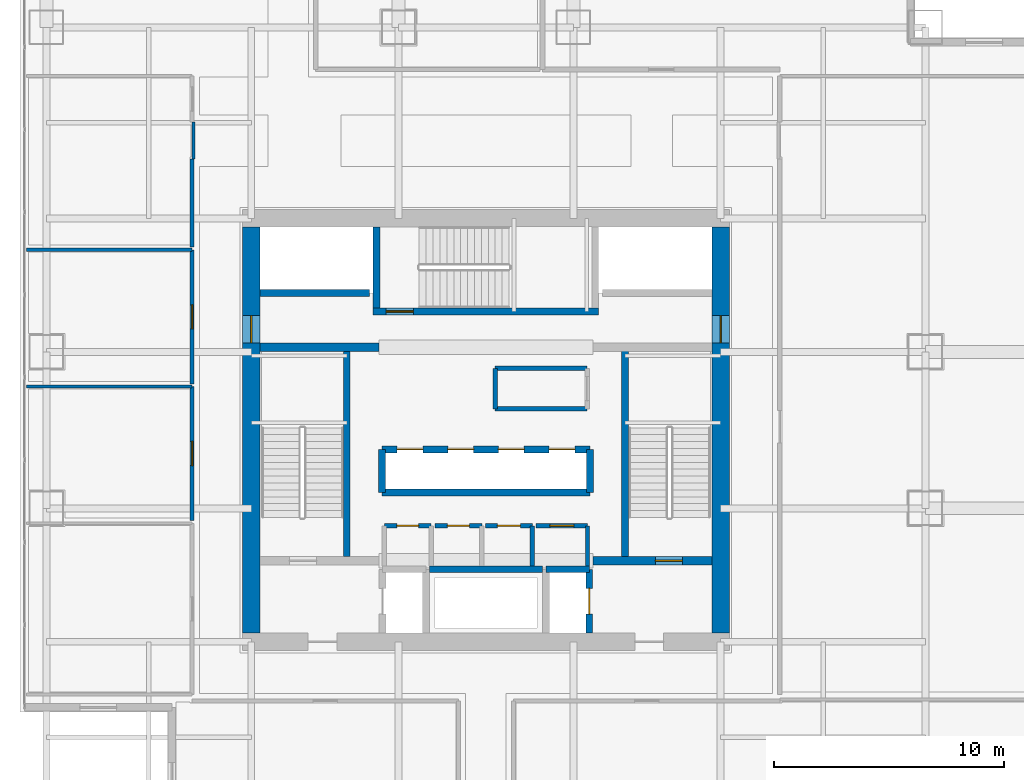
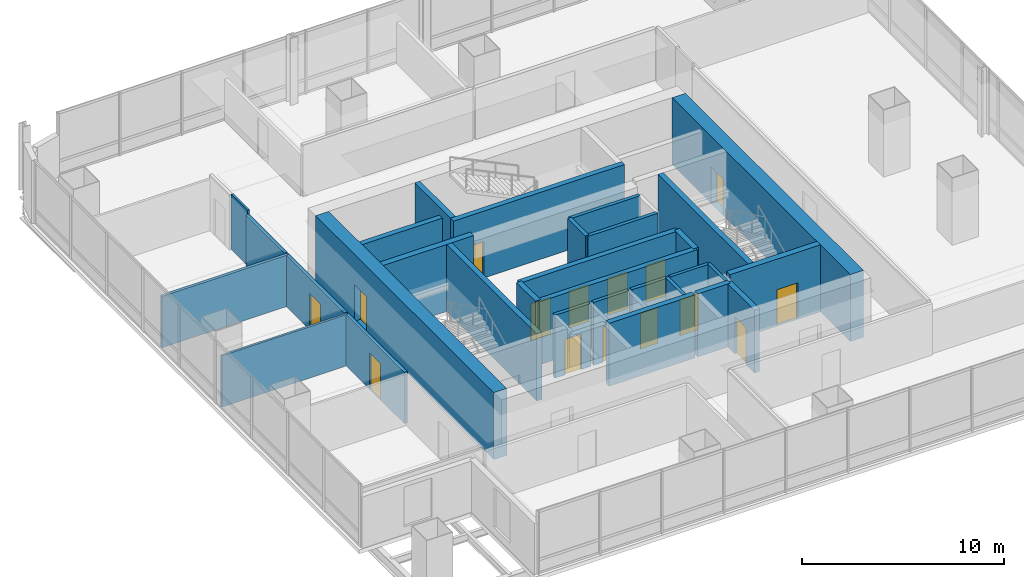
# One storey, part 28 of 34: 31 walls, 15 doors, 15 openings.
"""IFC4 building model written with IfcOpenShell, lengths in metres."""

from ifc_helpers import new_model, si_unit, direction, frame, frame_2d, origin, place, context, subcontext, project, spatial, rectangle, extrude, material, layer, layer_set, type_object, element, fill, save


model = new_model("IFC4")

# Units and contexts
model_context = context("Model", 3, precision=1e-05, world=origin(), true_north=direction((0.0, 1.0)))
body_context = subcontext(model_context, "Body", "Model", "MODEL_VIEW")
ifc_project = project(units=[si_unit("LENGTHUNIT", "METRE"), si_unit("AREAUNIT", "SQUARE_METRE"), si_unit("VOLUMEUNIT", "CUBIC_METRE"), si_unit("PLANEANGLEUNIT", "RADIAN"), si_unit("MASSUNIT", "GRAM", prefix="KILO")], contexts=[model_context])

# Site, building, storey
site_placement = place(None, origin())
site = spatial("IfcSite", under=ifc_project, at=site_placement, CompositionType="ELEMENT")
building_placement = place(site_placement, origin())
building = spatial("IfcBuilding", under=site, at=building_placement, Name="Punatoya Terracotta Tower", CompositionType="ELEMENT")
storey_placement = place(building_placement, frame((0.0, 0.0, 117.300048828125)))
storey = spatial("IfcBuildingStorey", under=building, at=storey_placement, Name="L27", CompositionType="ELEMENT", Elevation=117.300048828125)

# Wall, opening, door
ifc_material_1 = material(Name="Concrete C60/75", Category="concrete")
ifc_layer_1 = layer(ifc_material_1, 0.75)
ifc_layer_set_1 = layer_set([ifc_layer_1], Name="Concrete C60/75")
wall_type_1 = type_object("IfcWallType", Name="WL-COR-750", PredefinedType="SHEAR", material=ifc_layer_set_1)
wall_1_placement = place(storey_placement, frame((-10.199951171875, -8.824951171875, 0.0), z_axis=(0.0, 0.0, 1.0), x_axis=(0.0, 1.0, 0.0)))
wall_1 = element("IfcWall", 1, at=wall_1_placement, inside=storey, type_object=wall_type_1, Name="L27 Core Shear Wall W", PredefinedType="SHEAR", context=body_context, shape_type="SweptSolid", body=[
    extrude(rectangle(XDim=17.64990234375, YDim=0.75, at=frame_2d((8.824951171875, 0.0))), origin(), (0.0, 0.0, 1.0), 4.050048828125),
])
opening_1_placement = place(wall_1_placement, frame((12.614990234375, 0.0, 0.0)))
opening_1 = element("IfcOpeningElement", 2, at=opening_1_placement, cuts=wall_1, Name="Opening SD-01", PredefinedType="OPENING", context=body_context, shape_type="SweptSolid", body=[
    extrude(rectangle(XDim=1.179931640625, YDim=2.199951171875, at=frame_2d((0.58984375, 1.10009765625))), frame((0.0, 0.385009765625, 0.0), z_axis=(0.0, -1.0, 0.0), x_axis=(1.0, 0.0, 0.0)), (0.0, 0.0, 1.0), 0.77001953125),
])
ifc_material_2 = material(Name="Galvanised Steel Pressurized Stair Fire Door", Category="steel")
door_type_1 = type_object("IfcDoorType", Name="DR-STR-1180", OperationType="NOTDEFINED", PredefinedType="DOOR", material=ifc_material_2)
door_1_placement = place(opening_1_placement, origin())
door_1 = element("IfcDoor", 3, at=door_1_placement, inside=storey, type_object=door_type_1, Name="L27 Central Lift Lobby West Fire Door", OperationType="SINGLE_SWING_LEFT", OverallHeight=2.199951171875, OverallWidth=1.179931640625, PredefinedType="DOOR", context=body_context, shape_type="SweptSolid", body=[
    extrude(rectangle(XDim=1.179931640625, YDim=2.199951171875, at=frame_2d((0.58984375, 1.10009765625))), frame((0.0, 0.02490234375, 0.0), z_axis=(0.0, -1.0, 0.0), x_axis=(1.0, 0.0, 0.0)), (0.0, 0.0, 1.0), 0.050048828125),
])
fill(opening_1, door_1)

wall_2_placement = place(storey_placement, frame((10.199951171875, 8.824951171875, 0.0), z_axis=(0.0, 0.0, 1.0), x_axis=(0.0, -1.0, 0.0)))
wall_2 = element("IfcWall", 4, at=wall_2_placement, inside=storey, type_object=wall_type_1, Name="L27 Core Shear Wall E", PredefinedType="SHEAR", context=body_context, shape_type="SweptSolid", body=[
    extrude(rectangle(XDim=17.64990234375, YDim=0.75, at=frame_2d((8.824951171875, 0.0))), origin(), (0.0, 0.0, 1.0), 4.050048828125),
])
opening_2_placement = place(wall_2_placement, frame((3.85498046875, 0.0, 0.0)))
opening_2 = element("IfcOpeningElement", 5, at=opening_2_placement, cuts=wall_2, Name="Opening SD-01", PredefinedType="OPENING", context=body_context, shape_type="SweptSolid", body=[
    extrude(rectangle(XDim=1.179931640625, YDim=2.199951171875, at=frame_2d((0.58984375, 1.10009765625))), frame((0.0, 0.385009765625, 0.0), z_axis=(0.0, -1.0, 0.0), x_axis=(1.0, 0.0, 0.0)), (0.0, 0.0, 1.0), 0.77001953125),
])
door_2_placement = place(opening_2_placement, origin())
door_2 = element("IfcDoor", 6, at=door_2_placement, inside=storey, type_object=door_type_1, Name="L27 Central Lift Lobby East Fire Door", OperationType="SINGLE_SWING_RIGHT", OverallHeight=2.199951171875, OverallWidth=1.179931640625, PredefinedType="DOOR", context=body_context, shape_type="SweptSolid", body=[
    extrude(rectangle(XDim=1.179931640625, YDim=2.199951171875, at=frame_2d((0.58984375, 1.10009765625))), frame((0.0, 0.02490234375, 0.0), z_axis=(0.0, -1.0, 0.0), x_axis=(1.0, 0.0, 0.0)), (0.0, 0.0, 1.0), 0.050048828125),
])
fill(opening_2, door_2)

# Wall
ifc_material_3 = material(Name="Gypsum Fireboard + Steel Stud", Category="steel")
ifc_layer_2 = layer(ifc_material_3, 0.179931640625)
ifc_layer_set_2 = layer_set([ifc_layer_2], Name="Gypsum Fireboard + Steel Stud")
wall_type_2 = type_object("IfcWallType", Name="WL-CORR-180", PredefinedType="PARTITIONING", material=ifc_layer_set_2)
wall_3_placement = place(storey_placement, frame((4.419921875, -5.89990234375, 0.0), z_axis=(0.0, 0.0, 1.0), x_axis=(0.0, 1.0, 0.0)))
element("IfcWall", 7, at=wall_3_placement, inside=storey, type_object=wall_type_2, Name="L27 Core Reprographics Studio Partition 08", PredefinedType="PARTITIONING", context=body_context, shape_type="SweptSolid", body=[
    extrude(rectangle(XDim=1.739990234375, YDim=0.179931640625, at=frame_2d((0.8701171875, 0.0))), origin(), (0.0, 0.0, 1.0), 3.81005859375),
])

# Wall, opening, door
wall_4_placement = place(storey_placement, frame((4.419921875, -4.159912109375, 0.0), z_axis=(0.0, 0.0, 1.0), x_axis=(-1.0, 0.0, 0.0)))
wall_4 = element("IfcWall", 8, at=wall_4_placement, inside=storey, type_object=wall_type_2, Name="L27 Core Reprographics Studio Partition 09", PredefinedType="PARTITIONING", context=body_context, shape_type="SweptSolid", body=[
    extrude(rectangle(XDim=2.239990234375, YDim=0.179931640625, at=frame_2d((1.1201171875, 0.0))), origin(), (0.0, 0.0, 1.0), 3.81005859375),
])
opening_3_placement = place(wall_4_placement, frame((0.594970703125, 0.0, 0.0)))
opening_3 = element("IfcOpeningElement", 9, at=opening_3_placement, cuts=wall_4, Name="Opening OD-01", PredefinedType="OPENING", context=body_context, shape_type="SweptSolid", body=[
    extrude(rectangle(XDim=1.050048828125, YDim=2.199951171875, at=frame_2d((0.52490234375, 1.10009765625))), frame((0.0, 0.099853515625, 0.0), z_axis=(0.0, -1.0, 0.0), x_axis=(1.0, 0.0, 0.0)), (0.0, 0.0, 1.0), 0.199951171875),
])
ifc_material_4 = material(Name="Bengal Teak Solid-Core Leaf")
door_type_2 = type_object("IfcDoorType", Name="DR-OFF-1050", OperationType="NOTDEFINED", PredefinedType="DOOR", material=ifc_material_4)
door_3_placement = place(opening_3_placement, origin())
door_3 = element("IfcDoor", 10, at=door_3_placement, inside=storey, type_object=door_type_2, Name="L27 Reprographics Studio Door", OperationType="SINGLE_SWING_LEFT", OverallHeight=2.199951171875, OverallWidth=1.050048828125, PredefinedType="DOOR", context=body_context, shape_type="SweptSolid", body=[
    extrude(rectangle(XDim=1.050048828125, YDim=2.199951171875, at=frame_2d((0.52490234375, 1.10009765625))), frame((0.0, 0.02490234375, 0.0), z_axis=(0.0, -1.0, 0.0), x_axis=(1.0, 0.0, 0.0)), (0.0, 0.0, 1.0), 0.050048828125),
])
fill(opening_3, door_3)

wall_5_placement = place(storey_placement, frame((-12.77001953125, 1.889892578125, 0.0), z_axis=(0.0, 0.0, 1.0), x_axis=(0.0, -1.0, 0.0)))
wall_5 = element("IfcWall", 11, at=wall_5_placement, inside=storey, type_object=wall_type_2, Name="L27 Open-Plan Environmental Research Laboratory Partition 23", PredefinedType="PARTITIONING", context=body_context, shape_type="SweptSolid", body=[
    extrude(rectangle(XDim=5.81982421875, YDim=0.179931640625, at=frame_2d((2.909912109375, 0.0))), origin(), (0.0, 0.0, 1.0), 3.10400390625),
])
opening_4_placement = place(wall_5_placement, frame((2.385009765625, 0.0, 0.0)))
opening_4 = element("IfcOpeningElement", 12, at=opening_4_placement, cuts=wall_5, Name="Opening OD-01", PredefinedType="OPENING", context=body_context, shape_type="SweptSolid", body=[
    extrude(rectangle(XDim=1.050048828125, YDim=2.199951171875, at=frame_2d((0.52490234375, 1.10009765625))), frame((0.0, 0.099853515625, 0.0), z_axis=(0.0, -1.0, 0.0), x_axis=(1.0, 0.0, 0.0)), (0.0, 0.0, 1.0), 0.199951171875),
])
door_4_placement = place(opening_4_placement, origin())
door_4 = element("IfcDoor", 13, at=door_4_placement, inside=storey, type_object=door_type_2, Name="L27 Open-Plan Environmental Research Laboratory Door", OperationType="SINGLE_SWING_RIGHT", OverallHeight=2.199951171875, OverallWidth=1.050048828125, PredefinedType="DOOR", context=body_context, shape_type="SweptSolid", body=[
    extrude(rectangle(XDim=1.050048828125, YDim=2.199951171875, at=frame_2d((0.52490234375, 1.10009765625))), frame((0.0, 0.02490234375, 0.0), z_axis=(0.0, -1.0, 0.0), x_axis=(1.0, 0.0, 0.0)), (0.0, 0.0, 1.0), 0.050048828125),
])
fill(opening_4, door_4)

wall_6_placement = place(storey_placement, frame((-12.77001953125, 7.830078125, 0.0), z_axis=(0.0, 0.0, 1.0), x_axis=(0.0, -1.0, 0.0)))
wall_6 = element("IfcWall", 14, at=wall_6_placement, inside=storey, type_object=wall_type_2, Name="L27 Open-Plan Laboratory Staff Pantry Partition 29", PredefinedType="PARTITIONING", context=body_context, shape_type="SweptSolid", body=[
    extrude(rectangle(XDim=5.820068359375, YDim=0.179931640625, at=frame_2d((2.91015625, 0.0))), origin(), (0.0, 0.0, 1.0), 3.10400390625),
])
opening_5_placement = place(wall_6_placement, frame((2.385009765625, 0.0, 0.0)))
opening_5 = element("IfcOpeningElement", 15, at=opening_5_placement, cuts=wall_6, Name="Opening OD-01", PredefinedType="OPENING", context=body_context, shape_type="SweptSolid", body=[
    extrude(rectangle(XDim=1.050048828125, YDim=2.199951171875, at=frame_2d((0.52490234375, 1.10009765625))), frame((0.0, 0.099853515625, 0.0), z_axis=(0.0, -1.0, 0.0), x_axis=(1.0, 0.0, 0.0)), (0.0, 0.0, 1.0), 0.199951171875),
])
door_5_placement = place(opening_5_placement, origin())
door_5 = element("IfcDoor", 16, at=door_5_placement, inside=storey, type_object=door_type_2, Name="L27 Open-Plan Laboratory Staff Pantry Door", OperationType="SINGLE_SWING_RIGHT", OverallHeight=2.199951171875, OverallWidth=1.050048828125, PredefinedType="DOOR", context=body_context, shape_type="SweptSolid", body=[
    extrude(rectangle(XDim=1.050048828125, YDim=2.199951171875, at=frame_2d((0.52490234375, 1.10009765625))), frame((0.0, 0.02490234375, 0.0), z_axis=(0.0, -1.0, 0.0), x_axis=(1.0, 0.0, 0.0)), (0.0, 0.0, 1.0), 0.050048828125),
])
fill(opening_5, door_5)

# Wall
wall_7_placement = place(storey_placement, frame((-12.77001953125, 11.77001953125, 0.0), z_axis=(0.0, 0.0, 1.0), x_axis=(0.0, -1.0, 0.0)))
element("IfcWall", 17, at=wall_7_placement, inside=storey, type_object=wall_type_2, Name="L27 Wellness Rest Room Partition 33", PredefinedType="PARTITIONING", context=body_context, shape_type="SweptSolid", body=[
    extrude(rectangle(XDim=3.820068359375, YDim=0.179931640625, at=frame_2d((1.91015625, 0.0))), origin(), (0.0, 0.0, 1.0), 3.10400390625),
])

# Wall, opening, door
ifc_material_5 = material(Name="Concrete C40/50", Category="concrete")
ifc_layer_3 = layer(ifc_material_5, 0.199951171875)
ifc_layer_set_3 = layer_set([ifc_layer_3], Name="Concrete C40/50")
wall_type_3 = type_object("IfcWallType", Name="WL-INT-200", PredefinedType="SOLIDWALL", material=ifc_layer_set_3)
wall_8_placement = place(storey_placement, frame((-2.3798828125, -4.159912109375, 0.0), z_axis=(0.0, 0.0, 1.0), x_axis=(-1.0, 0.0, 0.0)))
wall_8 = element("IfcWall", 18, at=wall_8_placement, inside=storey, type_object=wall_type_3, Name="L27 Male Washroom Partition 02", PredefinedType="SOLIDWALL", context=body_context, shape_type="SweptSolid", body=[
    extrude(rectangle(XDim=2.0400390625, YDim=0.199951171875, at=frame_2d((1.02001953125, 0.0))), origin(), (0.0, 0.0, 1.0), 3.81005859375),
])
opening_6_placement = place(wall_8_placement, frame((0.544921875, 0.0, 0.0)))
opening_6 = element("IfcOpeningElement", 19, at=opening_6_placement, cuts=wall_8, Name="Opening WD-01", PredefinedType="OPENING", context=body_context, shape_type="SweptSolid", body=[
    extrude(rectangle(XDim=0.949951171875, YDim=2.14990234375, at=frame_2d((0.47509765625, 1.074951171875))), frame((0.0, 0.10986328125, 0.0), z_axis=(0.0, -1.0, 0.0), x_axis=(1.0, 0.0, 0.0)), (0.0, 0.0, 1.0), 0.219970703125),
])
ifc_material_6 = material(Name="Moisture-Resistant Laminate Timber Leaf", Category="wood")
door_type_3 = type_object("IfcDoorType", Name="DR-WC-950", OperationType="NOTDEFINED", PredefinedType="DOOR", material=ifc_material_6)
door_6_placement = place(opening_6_placement, origin())
door_6 = element("IfcDoor", 20, at=door_6_placement, inside=storey, type_object=door_type_3, Name="L27 Male Washroom Door", OperationType="SINGLE_SWING_RIGHT", OverallHeight=2.14990234375, OverallWidth=0.949951171875, PredefinedType="DOOR", context=body_context, shape_type="SweptSolid", body=[
    extrude(rectangle(XDim=0.949951171875, YDim=2.14990234375, at=frame_2d((0.47509765625, 1.074951171875))), frame((0.0, 0.02490234375, 0.0), z_axis=(0.0, -1.0, 0.0), x_axis=(1.0, 0.0, 0.0)), (0.0, 0.0, 1.0), 0.050048828125),
])
fill(opening_6, door_6)

wall_9_placement = place(storey_placement, frame((-0.179931640625, -4.159912109375, 0.0), z_axis=(0.0, 0.0, 1.0), x_axis=(-1.0, 0.0, 0.0)))
wall_9 = element("IfcWall", 21, at=wall_9_placement, inside=storey, type_object=wall_type_3, Name="L27 Female Washroom Partition 05", PredefinedType="SOLIDWALL", context=body_context, shape_type="SweptSolid", body=[
    extrude(rectangle(XDim=2.0400390625, YDim=0.199951171875, at=frame_2d((1.02001953125, 0.0))), origin(), (0.0, 0.0, 1.0), 3.81005859375),
])
opening_7_placement = place(wall_9_placement, frame((0.544921875, 0.0, 0.0)))
opening_7 = element("IfcOpeningElement", 22, at=opening_7_placement, cuts=wall_9, Name="Opening WD-01", PredefinedType="OPENING", context=body_context, shape_type="SweptSolid", body=[
    extrude(rectangle(XDim=0.949951171875, YDim=2.14990234375, at=frame_2d((0.47509765625, 1.074951171875))), frame((0.0, 0.10986328125, 0.0), z_axis=(0.0, -1.0, 0.0), x_axis=(1.0, 0.0, 0.0)), (0.0, 0.0, 1.0), 0.219970703125),
])
door_7_placement = place(opening_7_placement, origin())
door_7 = element("IfcDoor", 23, at=door_7_placement, inside=storey, type_object=door_type_3, Name="L27 Female Washroom Door", OperationType="SINGLE_SWING_LEFT", OverallHeight=2.14990234375, OverallWidth=0.949951171875, PredefinedType="DOOR", context=body_context, shape_type="SweptSolid", body=[
    extrude(rectangle(XDim=0.949951171875, YDim=2.14990234375, at=frame_2d((0.47509765625, 1.074951171875))), frame((0.0, 0.02490234375, 0.0), z_axis=(0.0, -1.0, 0.0), x_axis=(1.0, 0.0, 0.0)), (0.0, 0.0, 1.0), 0.050048828125),
])
fill(opening_7, door_7)

# Wall
wall_10_placement = place(storey_placement, frame((2.02001953125, -5.89990234375, 0.0), z_axis=(0.0, 0.0, 1.0), x_axis=(0.0, 1.0, 0.0)))
element("IfcWall", 24, at=wall_10_placement, inside=storey, type_object=wall_type_3, Name="L27 Accessible Universal Washroom Partition 06", PredefinedType="SOLIDWALL", context=body_context, shape_type="SweptSolid", body=[
    extrude(rectangle(XDim=1.739990234375, YDim=0.199951171875, at=frame_2d((0.8701171875, 0.0))), origin(), (0.0, 0.0, 1.0), 3.81005859375),
])

# Wall, opening, door
wall_11_placement = place(storey_placement, frame((2.02001953125, -4.159912109375, 0.0), z_axis=(0.0, 0.0, 1.0), x_axis=(-1.0, 0.0, 0.0)))
wall_11 = element("IfcWall", 25, at=wall_11_placement, inside=storey, type_object=wall_type_3, Name="L27 Accessible Universal Washroom Partition 07", PredefinedType="SOLIDWALL", context=body_context, shape_type="SweptSolid", body=[
    extrude(rectangle(XDim=2.0400390625, YDim=0.199951171875, at=frame_2d((1.02001953125, 0.0))), origin(), (0.0, 0.0, 1.0), 3.81005859375),
])
opening_8_placement = place(wall_11_placement, frame((0.52001953125, 0.0, 0.0)))
opening_8 = element("IfcOpeningElement", 26, at=opening_8_placement, cuts=wall_11, Name="Opening AWD-1", PredefinedType="OPENING", context=body_context, shape_type="SweptSolid", body=[
    extrude(rectangle(XDim=1.0, YDim=2.14990234375, at=frame_2d((0.5, 1.074951171875))), frame((0.0, 0.10986328125, 0.0), z_axis=(0.0, -1.0, 0.0), x_axis=(1.0, 0.0, 0.0)), (0.0, 0.0, 1.0), 0.219970703125),
])
ifc_material_7 = material(Name="Bengal Teak Accessible WC Leaf")
door_type_4 = type_object("IfcDoorType", Name="DR-ACC-1000", OperationType="NOTDEFINED", PredefinedType="DOOR", material=ifc_material_7)
door_8_placement = place(opening_8_placement, origin())
door_8 = element("IfcDoor", 27, at=door_8_placement, inside=storey, type_object=door_type_4, Name="L27 Accessible Universal Washroom Door", OperationType="SINGLE_SWING_RIGHT", OverallHeight=2.14990234375, OverallWidth=1.0, PredefinedType="DOOR", context=body_context, shape_type="SweptSolid", body=[
    extrude(rectangle(XDim=1.0, YDim=2.14990234375, at=frame_2d((0.5, 1.074951171875))), frame((0.0, 0.02490234375, 0.0), z_axis=(0.0, -1.0, 0.0), x_axis=(1.0, 0.0, 0.0)), (0.0, 0.0, 1.0), 0.050048828125),
])
fill(opening_8, door_8)

# Walls
wall_12_placement = place(storey_placement, frame((4.39990234375, 2.679931640625, 0.0), z_axis=(0.0, 0.0, 1.0), x_axis=(-1.0, 0.0, 0.0)))
element("IfcWall", 28, at=wall_12_placement, inside=storey, type_object=wall_type_3, Name="L27 East Core Tea Pantry Partition 11", PredefinedType="SOLIDWALL", context=body_context, shape_type="SweptSolid", body=[
    extrude(rectangle(XDim=4.0, YDim=0.199951171875, at=frame_2d((2.0, 0.0))), origin(), (0.0, 0.0, 1.0), 3.81005859375),
])
wall_13_placement = place(storey_placement, frame((0.39990234375, 2.679931640625, 0.0), z_axis=(0.0, 0.0, 1.0), x_axis=(0.0, -1.0, 0.0)))
element("IfcWall", 29, at=wall_13_placement, inside=storey, type_object=wall_type_3, Name="L27 East Core Tea Pantry Partition 12", PredefinedType="SOLIDWALL", context=body_context, shape_type="SweptSolid", body=[
    extrude(rectangle(XDim=1.760009765625, YDim=0.199951171875, at=frame_2d((0.8798828125, 0.0))), origin(), (0.0, 0.0, 1.0), 3.81005859375),
])
wall_14_placement = place(storey_placement, frame((0.39990234375, 0.919921875, 0.0), z_axis=(0.0, 0.0, 1.0), x_axis=(1.0, 0.0, 0.0)))
element("IfcWall", 30, at=wall_14_placement, inside=storey, type_object=wall_type_3, Name="L27 East Core Tea Pantry Partition 13", PredefinedType="SOLIDWALL", context=body_context, shape_type="SweptSolid", body=[
    extrude(rectangle(XDim=4.0, YDim=0.199951171875, at=frame_2d((2.0, 0.0))), origin(), (0.0, 0.0, 1.0), 3.81005859375),
])
ifc_material_8 = material(Name="Gypsum Partition + Steel Stud", Category="steel")
ifc_layer_4 = layer(ifc_material_8, 0.1201171875)
ifc_layer_set_4 = layer_set([ifc_layer_4], Name="Gypsum Partition + Steel Stud")
wall_type_4 = type_object("IfcWallType", Name="WL-OFF-120", PredefinedType="PARTITIONING", material=ifc_layer_set_4)
wall_15_placement = place(storey_placement, frame((-19.969970703125, 1.889892578125, 0.0), z_axis=(0.0, 0.0, 1.0), x_axis=(1.0, 0.0, 0.0)))
element("IfcWall", 31, at=wall_15_placement, inside=storey, type_object=wall_type_4, Name="L27 Open-Plan Environmental Research Laboratory Partition 22", PredefinedType="PARTITIONING", context=body_context, shape_type="SweptSolid", body=[
    extrude(rectangle(XDim=7.199951171875, YDim=0.1201171875, at=frame_2d((3.60009765625, 0.0))), origin(), (0.0, 0.0, 1.0), 3.10400390625),
])
wall_16_placement = place(storey_placement, frame((-12.7099609375, 13.3798828125, 0.0), z_axis=(0.0, 0.0, 1.0), x_axis=(0.0, -1.0, 0.0)))
element("IfcWall", 32, at=wall_16_placement, inside=storey, type_object=wall_type_4, Name="L27 Wellness Rest Room Partition 32", PredefinedType="PARTITIONING", context=body_context, shape_type="SweptSolid", body=[
    extrude(rectangle(XDim=1.60986328125, YDim=0.1201171875, at=frame_2d((0.804931640625, 0.0))), origin(), (0.0, 0.0, 1.0), 3.35400390625),
])
ifc_layer_5 = layer(ifc_material_5, 0.300048828125)
ifc_layer_set_5 = layer_set([ifc_layer_5], Name="Concrete C40/50")
wall_type_5 = type_object("IfcWallType", Name="WL-SHF-300", PredefinedType="SOLIDWALL", material=ifc_layer_set_5)
for number, where, z_axis, x_axis, name in (
    (33, (-6.050048828125, -5.5, 0.0), (0.0, 0.0, 1.0), (0.0, 1.0, 0.0), "L27 Structural Stair Shaft Wall SW-ST1-E"),
    (34, (6.050048828125, 3.449951171875, 0.0), (0.0, 0.0, 1.0), (0.0, -1.0, 0.0), "L27 Structural Stair Shaft Wall SW-ST2-W"),
):
    element("IfcWall", number, at=place(storey_placement, frame(where, z_axis=z_axis, x_axis=x_axis)), inside=storey, type_object=wall_type_5, Name=name, PredefinedType="SOLIDWALL", context=body_context, shape_type="SweptSolid", body=[
        extrude(rectangle(XDim=8.949951171875, YDim=0.300048828125, at=frame_2d((4.47509765625, 0.0))), origin(), (0.0, 0.0, 1.0), 4.050048828125),
    ])
wall_17_placement = place(storey_placement, frame((-4.75, 5.300048828125, 0.0), z_axis=(0.0, 0.0, 1.0), x_axis=(0.0, 1.0, 0.0)))
element("IfcWall", 35, at=wall_17_placement, inside=storey, type_object=wall_type_5, Name="L27 Structural Stair Shaft Wall SW-ST3-W", PredefinedType="SOLIDWALL", context=body_context, shape_type="SweptSolid", body=[
    extrude(rectangle(XDim=3.52490234375, YDim=0.300048828125, at=frame_2d((1.762451171875, 0.0))), origin(), (0.0, 0.0, 1.0), 4.050048828125),
])

# Wall, opening, door
wall_18_placement = place(storey_placement, frame((-4.89990234375, 5.14990234375, 0.0), z_axis=(0.0, 0.0, 1.0), x_axis=(1.0, 0.0, 0.0)))
wall_18 = element("IfcWall", 36, at=wall_18_placement, inside=storey, type_object=wall_type_5, Name="L27 Structural Stair Shaft Wall SW-ST3-S", PredefinedType="SOLIDWALL", context=body_context, shape_type="SweptSolid", body=[
    extrude(rectangle(XDim=9.7998046875, YDim=0.300048828125, at=frame_2d((4.89990234375, 0.0))), origin(), (0.0, 0.0, 1.0), 4.050048828125),
])
opening_9_placement = place(wall_18_placement, frame((0.56005859375, 0.0, 0.0)))
opening_9 = element("IfcOpeningElement", 37, at=opening_9_placement, cuts=wall_18, Name="Opening SD-01", PredefinedType="OPENING", context=body_context, shape_type="SweptSolid", body=[
    extrude(rectangle(XDim=1.179931640625, YDim=2.199951171875, at=frame_2d((0.58984375, 1.10009765625))), frame((0.0, 0.159912109375, 0.0), z_axis=(0.0, -1.0, 0.0), x_axis=(1.0, 0.0, 0.0)), (0.0, 0.0, 1.0), 0.320068359375),
])
door_9_placement = place(opening_9_placement, origin())
door_9 = element("IfcDoor", 38, at=door_9_placement, inside=storey, type_object=door_type_1, Name="L27 Stair ST-3 Core Lobby Fire Door", OperationType="SINGLE_SWING_LEFT", OverallHeight=2.199951171875, OverallWidth=1.179931640625, PredefinedType="DOOR", context=body_context, shape_type="SweptSolid", body=[
    extrude(rectangle(XDim=1.179931640625, YDim=2.199951171875, at=frame_2d((0.58984375, 1.10009765625))), frame((0.0, 0.02490234375, 0.0), z_axis=(0.0, -1.0, 0.0), x_axis=(1.0, 0.0, 0.0)), (0.0, 0.0, 1.0), 0.050048828125),
])
fill(opening_9, door_9)

wall_19_placement = place(storey_placement, frame((4.489990234375, -8.820068359375, 0.0), z_axis=(0.0, 0.0, 1.0), x_axis=(0.0, 1.0, 0.0)))
wall_19 = element("IfcWall", 39, at=wall_19_placement, inside=storey, type_object=wall_type_5, Name="L27 FFL-2 Front Hoistway Wall", PredefinedType="SOLIDWALL", context=body_context, shape_type="SweptSolid", body=[
    extrude(rectangle(XDim=2.77001953125, YDim=0.300048828125, at=frame_2d((1.385009765625, 0.0))), origin(), (0.0, 0.0, 1.0), 3.81005859375),
])
opening_10_placement = place(wall_19_placement, frame((0.824951171875, 0.0, 0.0)))
opening_10 = element("IfcOpeningElement", 40, at=opening_10_placement, cuts=wall_19, Name="Opening LD-02", PredefinedType="OPENING", context=body_context, shape_type="SweptSolid", body=[
    extrude(rectangle(XDim=1.1201171875, YDim=2.25, at=frame_2d((0.56005859375, 1.125))), frame((0.0, 0.159912109375, 0.0), z_axis=(0.0, -1.0, 0.0), x_axis=(1.0, 0.0, 0.0)), (0.0, 0.0, 1.0), 0.320068359375),
])
ifc_material_9 = material(Name="Stainless Steel Lift Landing Door", Category="steel")
door_type_5 = type_object("IfcDoorType", Name="DR-LND-1120", OperationType="NOTDEFINED", PredefinedType="DOOR", material=ifc_material_9)
door_10_placement = place(opening_10_placement, origin())
door_10 = element("IfcDoor", 41, at=door_10_placement, inside=storey, type_object=door_type_5, Name="L27 Firefighting Lift FFL-2 Sliding Landing Door", OperationType="SLIDING_TO_RIGHT", OverallHeight=2.25, OverallWidth=1.1201171875, PredefinedType="DOOR", context=body_context, shape_type="SweptSolid", body=[
    extrude(rectangle(XDim=1.1201171875, YDim=2.25, at=frame_2d((0.56005859375, 1.125))), frame((0.0, 0.02490234375, 0.0), z_axis=(0.0, -1.0, 0.0), x_axis=(1.0, 0.0, 0.0)), (0.0, 0.0, 1.0), 0.050048828125),
])
fill(opening_10, door_10)

# Wall
wall_20_placement = place(storey_placement, frame((2.610107421875, -6.050048828125, 0.0), z_axis=(0.0, 0.0, 1.0), x_axis=(1.0, 0.0, 0.0)))
element("IfcWall", 42, at=wall_20_placement, inside=storey, type_object=wall_type_5, Name="L27 FFL-2 North Hoistway Wall", PredefinedType="SOLIDWALL", context=body_context, shape_type="SweptSolid", body=[
    extrude(rectangle(XDim=1.8798828125, YDim=0.300048828125, at=frame_2d((0.93994140625, 0.0))), origin(), (0.0, 0.0, 1.0), 3.81005859375),
])

# Wall, openings, doors
wall_21_placement = place(storey_placement, frame((-4.52001953125, -0.840087890625, 0.0), z_axis=(0.0, 0.0, 1.0), x_axis=(1.0, 0.0, 0.0)))
wall_21 = element("IfcWall", 43, at=wall_21_placement, inside=storey, type_object=wall_type_5, Name="L27 South Lift Bank Front Shaft Wall", PredefinedType="SOLIDWALL", context=body_context, shape_type="SweptSolid", body=[
    extrude(rectangle(XDim=9.0400390625, YDim=0.300048828125, at=frame_2d((4.52001953125, 0.0))), origin(), (0.0, 0.0, 1.0), 3.81005859375),
])
opening_11_placement = place(wall_21_placement, frame((0.659912109375, 0.0, 0.0)))
opening_11 = element("IfcOpeningElement", 44, at=opening_11_placement, cuts=wall_21, Name="Opening LD-02", PredefinedType="OPENING", context=body_context, shape_type="SweptSolid", body=[
    extrude(rectangle(XDim=1.1201171875, YDim=2.25, at=frame_2d((0.56005859375, 1.125))), frame((0.0, 0.159912109375, 0.0), z_axis=(0.0, -1.0, 0.0), x_axis=(1.0, 0.0, 0.0)), (0.0, 0.0, 1.0), 0.320068359375),
])
opening_12_placement = place(wall_21_placement, frame((2.860107421875, 0.0, 0.0)))
opening_12 = element("IfcOpeningElement", 45, at=opening_12_placement, cuts=wall_21, Name="Opening LD-02", PredefinedType="OPENING", context=body_context, shape_type="SweptSolid", body=[
    extrude(rectangle(XDim=1.1201171875, YDim=2.25, at=frame_2d((0.56005859375, 1.125))), frame((0.0, 0.159912109375, 0.0), z_axis=(0.0, -1.0, 0.0), x_axis=(1.0, 0.0, 0.0)), (0.0, 0.0, 1.0), 0.320068359375),
])
opening_13_placement = place(wall_21_placement, frame((5.06005859375, 0.0, 0.0)))
opening_13 = element("IfcOpeningElement", 46, at=opening_13_placement, cuts=wall_21, Name="Opening LD-02", PredefinedType="OPENING", context=body_context, shape_type="SweptSolid", body=[
    extrude(rectangle(XDim=1.1201171875, YDim=2.25, at=frame_2d((0.56005859375, 1.125))), frame((0.0, 0.159912109375, 0.0), z_axis=(0.0, -1.0, 0.0), x_axis=(1.0, 0.0, 0.0)), (0.0, 0.0, 1.0), 0.320068359375),
])
opening_14_placement = place(wall_21_placement, frame((7.260009765625, 0.0, 0.0)))
opening_14 = element("IfcOpeningElement", 47, at=opening_14_placement, cuts=wall_21, Name="Opening LD-02", PredefinedType="OPENING", context=body_context, shape_type="SweptSolid", body=[
    extrude(rectangle(XDim=1.1201171875, YDim=2.25, at=frame_2d((0.56005859375, 1.125))), frame((0.0, 0.159912109375, 0.0), z_axis=(0.0, -1.0, 0.0), x_axis=(1.0, 0.0, 0.0)), (0.0, 0.0, 1.0), 0.320068359375),
])
door_11_placement = place(opening_11_placement, origin())
door_11 = element("IfcDoor", 48, at=door_11_placement, inside=storey, type_object=door_type_5, Name="L27 Lift PL-L1 Sliding Landing Door", OperationType="DOUBLE_DOOR_SLIDING", OverallHeight=2.25, OverallWidth=1.1201171875, PredefinedType="DOOR", context=body_context, shape_type="SweptSolid", body=[
    extrude(rectangle(XDim=1.1201171875, YDim=2.25, at=frame_2d((0.56005859375, 1.125))), frame((0.0, 0.02490234375, 0.0), z_axis=(0.0, -1.0, 0.0), x_axis=(1.0, 0.0, 0.0)), (0.0, 0.0, 1.0), 0.050048828125),
])
fill(opening_11, door_11)
door_12_placement = place(opening_12_placement, origin())
door_12 = element("IfcDoor", 49, at=door_12_placement, inside=storey, type_object=door_type_5, Name="L27 Lift PL-L2 Sliding Landing Door", OperationType="DOUBLE_DOOR_SLIDING", OverallHeight=2.25, OverallWidth=1.1201171875, PredefinedType="DOOR", context=body_context, shape_type="SweptSolid", body=[
    extrude(rectangle(XDim=1.1201171875, YDim=2.25, at=frame_2d((0.56005859375, 1.125))), frame((0.0, 0.02490234375, 0.0), z_axis=(0.0, -1.0, 0.0), x_axis=(1.0, 0.0, 0.0)), (0.0, 0.0, 1.0), 0.050048828125),
])
fill(opening_12, door_12)
door_13_placement = place(opening_13_placement, origin())
door_13 = element("IfcDoor", 50, at=door_13_placement, inside=storey, type_object=door_type_5, Name="L27 Lift PL-L3 Sliding Landing Door", OperationType="DOUBLE_DOOR_SLIDING", OverallHeight=2.25, OverallWidth=1.1201171875, PredefinedType="DOOR", context=body_context, shape_type="SweptSolid", body=[
    extrude(rectangle(XDim=1.1201171875, YDim=2.25, at=frame_2d((0.56005859375, 1.125))), frame((0.0, 0.02490234375, 0.0), z_axis=(0.0, -1.0, 0.0), x_axis=(1.0, 0.0, 0.0)), (0.0, 0.0, 1.0), 0.050048828125),
])
fill(opening_13, door_13)
door_14_placement = place(opening_14_placement, origin())
door_14 = element("IfcDoor", 51, at=door_14_placement, inside=storey, type_object=door_type_5, Name="L27 Lift PL-L4 Sliding Landing Door", OperationType="DOUBLE_DOOR_SLIDING", OverallHeight=2.25, OverallWidth=1.1201171875, PredefinedType="DOOR", context=body_context, shape_type="SweptSolid", body=[
    extrude(rectangle(XDim=1.1201171875, YDim=2.25, at=frame_2d((0.56005859375, 1.125))), frame((0.0, 0.02490234375, 0.0), z_axis=(0.0, -1.0, 0.0), x_axis=(1.0, 0.0, 0.0)), (0.0, 0.0, 1.0), 0.050048828125),
])
fill(opening_14, door_14)

# Walls
wall_22_placement = place(storey_placement, frame((-4.52001953125, -2.719970703125, 0.0), z_axis=(0.0, 0.0, 1.0), x_axis=(1.0, 0.0, 0.0)))
element("IfcWall", 52, at=wall_22_placement, inside=storey, type_object=wall_type_5, Name="L27 South Lift Bank Rear Shaft Wall", PredefinedType="SOLIDWALL", context=body_context, shape_type="SweptSolid", body=[
    extrude(rectangle(XDim=9.0400390625, YDim=0.300048828125, at=frame_2d((4.52001953125, 0.0))), origin(), (0.0, 0.0, 1.0), 3.81005859375),
])
for number, where, z_axis, x_axis, name in (
    (53, (-4.52001953125, -2.719970703125, 0.0), (0.0, 0.0, 1.0), (0.0, 1.0, 0.0), "L27 South Lift Bank West End Wall"),
    (54, (4.52001953125, -2.719970703125, 0.0), (0.0, 0.0, 1.0), (0.0, 1.0, 0.0), "L27 South Lift Bank East End Wall"),
):
    element("IfcWall", number, at=place(storey_placement, frame(where, z_axis=z_axis, x_axis=x_axis)), inside=storey, type_object=wall_type_5, Name=name, PredefinedType="SOLIDWALL", context=body_context, shape_type="SweptSolid", body=[
        extrude(rectangle(XDim=1.8798828125, YDim=0.300048828125, at=frame_2d((0.93994140625, 0.0))), origin(), (0.0, 0.0, 1.0), 3.81005859375),
    ])
wall_23_placement = place(storey_placement, frame((-9.820068359375, 5.949951171875, 0.0), z_axis=(0.0, 0.0, 1.0), x_axis=(1.0, 0.0, 0.0)))
element("IfcWall", 55, at=wall_23_placement, inside=storey, type_object=wall_type_5, Name="L27 Shuttle SL-1 South Hoistway Wall", PredefinedType="SOLIDWALL", context=body_context, shape_type="SweptSolid", body=[
    extrude(rectangle(XDim=4.760009765625, YDim=0.300048828125, at=frame_2d((2.3798828125, 0.0))), origin(), (0.0, 0.0, 1.0), 3.81005859375),
])
wall_24_placement = place(storey_placement, frame((-2.449951171875, -6.050048828125, 0.0), z_axis=(0.0, 0.0, 1.0), x_axis=(1.0, 0.0, 0.0)))
element("IfcWall", 56, at=wall_24_placement, inside=storey, type_object=wall_type_5, Name="L27 Observation Shuttle Rear Hoistway Wall", PredefinedType="SOLIDWALL", context=body_context, shape_type="SweptSolid", body=[
    extrude(rectangle(XDim=4.89990234375, YDim=0.300048828125, at=frame_2d((2.449951171875, 0.0))), origin(), (0.0, 0.0, 1.0), 3.81005859375),
])

# Wall, opening, door
ifc_material_10 = material(Name="Concrete C50/60", Category="concrete")
ifc_layer_6 = layer(ifc_material_10, 0.35009765625)
ifc_layer_set_6 = layer_set([ifc_layer_6], Name="Concrete C50/60")
wall_type_6 = type_object("IfcWallType", Name="WL-SHF-350", PredefinedType="SOLIDWALL", material=ifc_layer_set_6)
wall_25_placement = place(storey_placement, frame((4.64990234375, -5.679931640625, 0.0), z_axis=(0.0, 0.0, 1.0), x_axis=(1.0, 0.0, 0.0)))
wall_25 = element("IfcWall", 57, at=wall_25_placement, inside=storey, type_object=wall_type_6, Name="L27 Core Web Wall CSW-R", PredefinedType="SOLIDWALL", context=body_context, shape_type="SweptSolid", body=[
    extrude(rectangle(XDim=5.175048828125, YDim=0.35009765625, at=frame_2d((2.58740234375, 0.0))), origin(), (0.0, 0.0, 1.0), 4.050048828125),
])
opening_15_placement = place(wall_25_placement, frame((2.7099609375, 0.0, 0.0)))
opening_15 = element("IfcOpeningElement", 58, at=opening_15_placement, cuts=wall_25, Name="Opening SD-01", PredefinedType="OPENING", context=body_context, shape_type="SweptSolid", body=[
    extrude(rectangle(XDim=1.179931640625, YDim=2.199951171875, at=frame_2d((0.58984375, 1.10009765625))), frame((0.0, 0.18505859375, 0.0), z_axis=(0.0, -1.0, 0.0), x_axis=(1.0, 0.0, 0.0)), (0.0, 0.0, 1.0), 0.3701171875),
])
door_15_placement = place(opening_15_placement, origin())
door_15 = element("IfcDoor", 59, at=door_15_placement, inside=storey, type_object=door_type_1, Name="L27 Stair ST-2 Smokeproof Lobby Fire Door", OperationType="SINGLE_SWING_RIGHT", OverallHeight=2.199951171875, OverallWidth=1.179931640625, PredefinedType="DOOR", context=body_context, shape_type="SweptSolid", body=[
    extrude(rectangle(XDim=1.179931640625, YDim=2.199951171875, at=frame_2d((0.58984375, 1.10009765625))), frame((0.0, 0.02490234375, 0.0), z_axis=(0.0, -1.0, 0.0), x_axis=(1.0, 0.0, 0.0)), (0.0, 0.0, 1.0), 0.050048828125),
])
fill(opening_15, door_15)

# Walls
wall_26_placement = place(storey_placement, frame((-9.824951171875, 3.60009765625, 0.0), z_axis=(0.0, 0.0, 1.0), x_axis=(1.0, 0.0, 0.0)))
element("IfcWall", 60, at=wall_26_placement, inside=storey, type_object=wall_type_6, Name="L27 Core Web Wall CNW-L", PredefinedType="SOLIDWALL", context=body_context, shape_type="SweptSolid", body=[
    extrude(rectangle(XDim=5.175048828125, YDim=0.35009765625, at=frame_2d((2.58740234375, 0.0))), origin(), (0.0, 0.0, 1.0), 4.050048828125),
])
ifc_material_11 = material(Name="Masonry Blockwork + Ceramic Tile", Category="masonry")
ifc_layer_7 = layer(ifc_material_11, 0.159912109375)
ifc_layer_set_7 = layer_set([ifc_layer_7], Name="Masonry Blockwork + Ceramic Tile")
wall_type_7 = type_object("IfcWallType", Name="WL-WET-160", PredefinedType="PARTITIONING", material=ifc_layer_set_7)
wall_27_placement = place(storey_placement, frame((-19.969970703125, 7.830078125, 0.0), z_axis=(0.0, 0.0, 1.0), x_axis=(1.0, 0.0, 0.0)))
element("IfcWall", 61, at=wall_27_placement, inside=storey, type_object=wall_type_7, Name="L27 Open-Plan Laboratory Staff Pantry Partition 28", PredefinedType="PARTITIONING", context=body_context, shape_type="SweptSolid", body=[
    extrude(rectangle(XDim=7.199951171875, YDim=0.159912109375, at=frame_2d((3.60009765625, 0.0))), origin(), (0.0, 0.0, 1.0), 3.10400390625),
])

save(model, "model.ifc")
